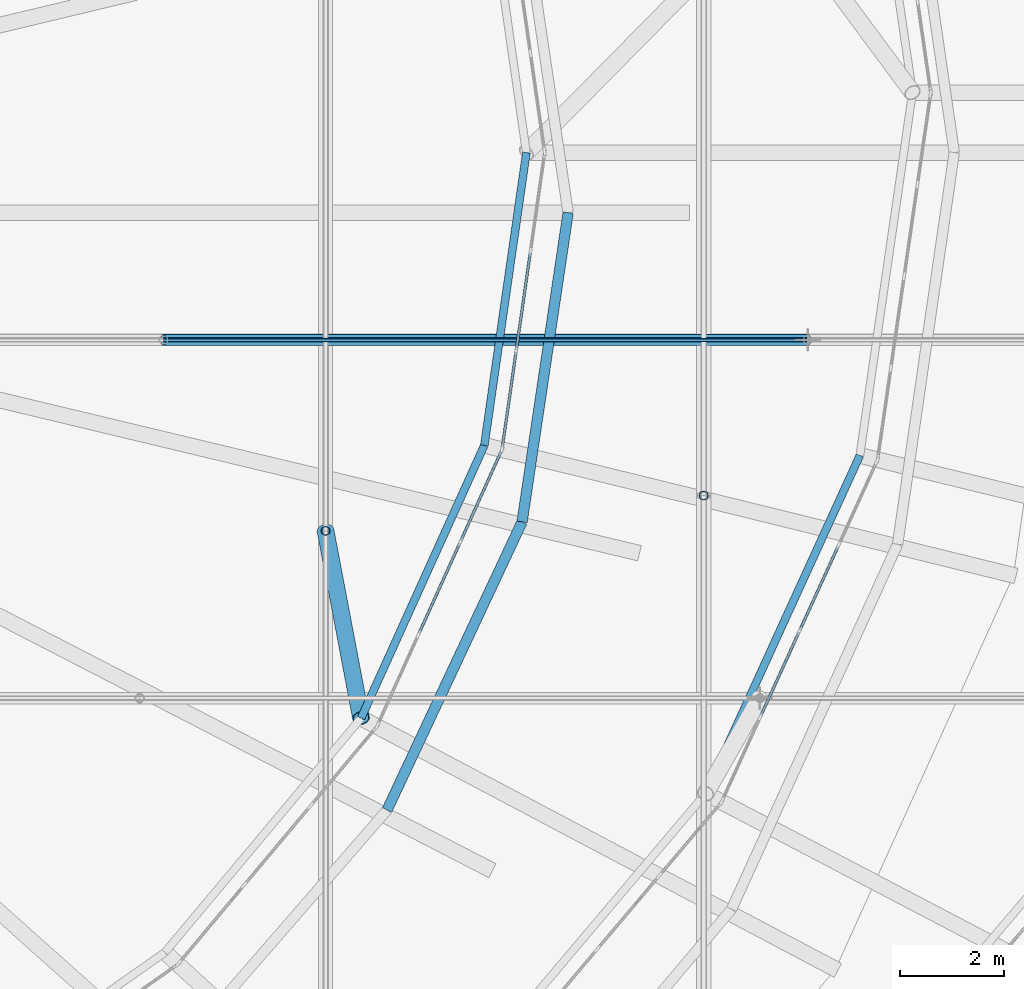
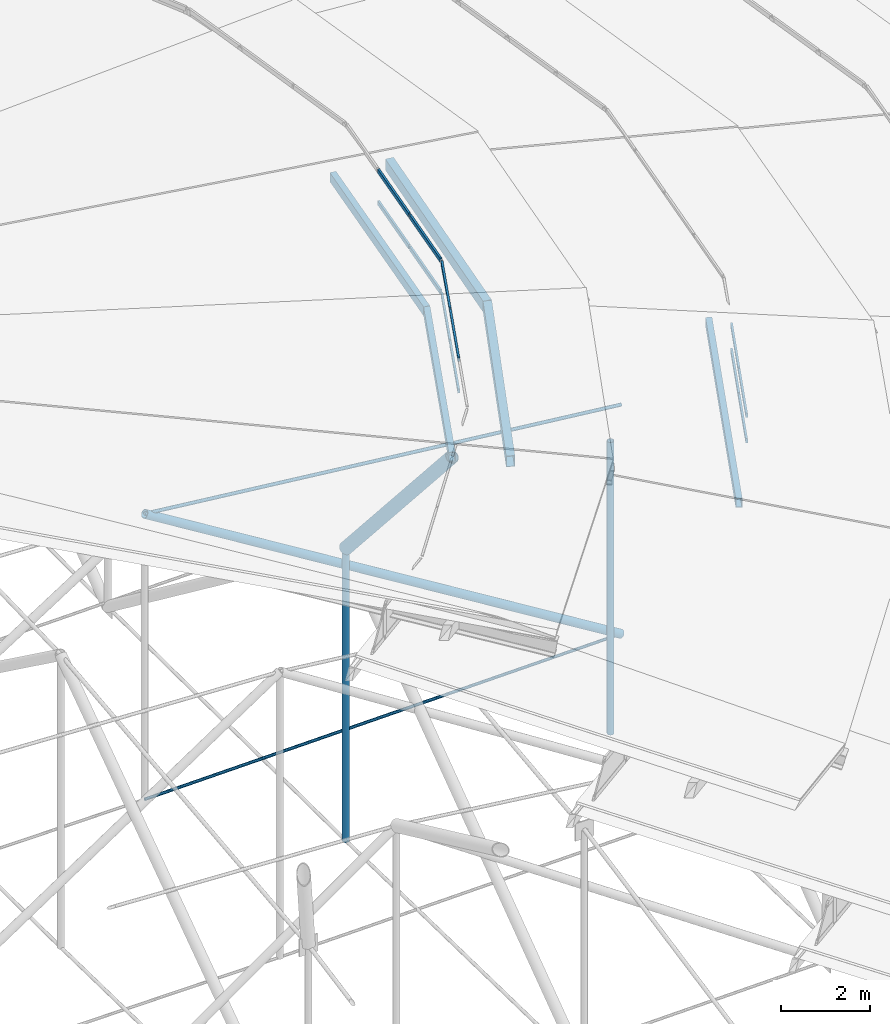
# One storey, part 84 of 173: 23 members, 3 elements without a shape of their own.
"""IFC4 building model written with IfcOpenShell, lengths in metres."""

from ifc_helpers import new_model, si_unit, direction, frame, origin, origin_2d, place, context, subcontext, project, spatial, rectangle, hollow_rectangle, circle, hollow_circle, extrude, material, material_profile, profile_set, type_object, element, aggregate, save


model = new_model("IFC4")

# Units and contexts
model_context = context("Model", 3, precision=1e-05, world=origin(), true_north=direction((0.0, 1.0)))
body_context = subcontext(model_context, "Body", "Model", "MODEL_VIEW")
ifc_project = project(units=[si_unit("LENGTHUNIT", "METRE"), si_unit("AREAUNIT", "SQUARE_METRE"), si_unit("VOLUMEUNIT", "CUBIC_METRE"), si_unit("PLANEANGLEUNIT", "RADIAN"), si_unit("MASSUNIT", "GRAM", prefix="KILO")], contexts=[model_context])

# Site, building, storey
site_placement = place(None, origin())
site = spatial("IfcSite", under=ifc_project, at=site_placement, CompositionType="ELEMENT")
building_placement = place(site_placement, origin())
building = spatial("IfcBuilding", under=site, at=building_placement, Name="Glasvene Arena", CompositionType="ELEMENT")
storey_placement = place(building_placement, frame((0.0, 0.0, 28.800048828125)))
storey = spatial("IfcBuildingStorey", under=building, at=storey_placement, Name="RF", CompositionType="ELEMENT", Elevation=28.800048828125)

# Curtain wall, members
ifc_material_1 = material(Name="Low-emissivity laminated double glazing", Category="glass")
curtain_wall_type_1 = type_object("IfcCurtainWallType", Name="CW-PET3-721x75", PredefinedType="USERDEFINED", material=ifc_material_1)
curtain_wall_1_placement = place(storey_placement, frame((115.03759765625, 57.10009765625, 0.0)))
curtain_wall_1 = element("IfcCurtainWall", 1, at=curtain_wall_1_placement, inside=storey, type_object=curtain_wall_type_1, Name="Petal ring 3-4 clerestory curtain wall 23", ObjectType="CURTAIN WALL", PredefinedType="USERDEFINED")
ifc_material_2 = material(Name="Anodised architectural aluminium", Category="aluminium")
ifc_material_profile_1 = material_profile(ifc_material_2, rectangle(XDim=0.050048828125, YDim=0.1201171875, at=origin_2d()), Name="ALU TRANSOM 50x120")
ifc_profile_set_1 = profile_set([ifc_material_profile_1], Name="Anodised architectural aluminium")
member_type_1 = type_object("IfcMemberType", Name="CW-TRN-120", PredefinedType="USERDEFINED", material=ifc_profile_set_1)
member_1_placement = place(storey_placement, frame((115.7958984375, 58.7626953125, 7.85498046875), z_axis=(0.414946517338, 0.909845804381, 0.0), x_axis=(-0.909845804381, 0.414946517338, 0.0)))
member_1 = element("IfcMember", 2, at=member_1_placement, type_object=member_type_1, Name="CW-094 transom 2.1", ObjectType="TRANSOM", PredefinedType="USERDEFINED", context=body_context, shape_type="SweptSolid", body=[
    extrude(rectangle(XDim=0.050048828125, YDim=0.1201171875, at=origin_2d()), origin(), (0.0, 0.0, 1.0), 1.752685546875),
])
member_2_placement = place(storey_placement, frame((115.7958984375, 58.7626953125, 8.554931640625), z_axis=(0.414946517338, 0.909845804381, 0.0), x_axis=(-0.909845804381, 0.414946517338, 0.0)))
member_2 = element("IfcMember", 3, at=member_2_placement, type_object=member_type_1, Name="CW-094 transom 2.2", ObjectType="TRANSOM", PredefinedType="USERDEFINED", context=body_context, shape_type="SweptSolid", body=[
    extrude(rectangle(XDim=0.050048828125, YDim=0.1201171875, at=origin_2d()), origin(), (0.0, 0.0, 1.0), 1.752685546875),
])
member_3_placement = place(storey_placement, frame((116.5439453125, 60.40283203125, 7.85498046875), z_axis=(0.414999110691, 0.90982181669, 0.0), x_axis=(-0.90982181669, 0.414999110691, 0.0)))
member_3 = element("IfcMember", 4, at=member_3_placement, type_object=member_type_1, Name="CW-094 transom 3.1", ObjectType="TRANSOM", PredefinedType="USERDEFINED", context=body_context, shape_type="SweptSolid", body=[
    extrude(rectangle(XDim=0.050048828125, YDim=0.1201171875, at=origin_2d()), origin(), (0.0, 0.0, 1.0), 1.75244140625),
])
member_4_placement = place(storey_placement, frame((116.5439453125, 60.40283203125, 8.554931640625), z_axis=(0.414999110691, 0.90982181669, 0.0), x_axis=(-0.90982181669, 0.414999110691, 0.0)))
member_4 = element("IfcMember", 5, at=member_4_placement, type_object=member_type_1, Name="CW-094 transom 3.2", ObjectType="TRANSOM", PredefinedType="USERDEFINED", context=body_context, shape_type="SweptSolid", body=[
    extrude(rectangle(XDim=0.050048828125, YDim=0.1201171875, at=origin_2d()), origin(), (0.0, 0.0, 1.0), 1.75244140625),
])
aggregate(curtain_wall_1, [member_1, member_2, member_3, member_4])

curtain_wall_type_2 = type_object("IfcCurtainWallType", Name="CW-PET4-582x92", PredefinedType="USERDEFINED", material=ifc_material_1)
curtain_wall_2_placement = place(storey_placement, frame((108.4345703125, 58.550048828125, 0.0)))
curtain_wall_2 = element("IfcCurtainWall", 6, at=curtain_wall_2_placement, inside=storey, type_object=curtain_wall_type_2, Name="Petal ring 4-5 clerestory curtain wall 23", ObjectType="CURTAIN WALL", PredefinedType="USERDEFINED")
member_5_placement = place(storey_placement, frame((109.244140625, 60.341552734375, 10.554931640625), z_axis=(0.411797762497, 0.911275261819, 0.0), x_axis=(-0.911275261819, 0.411797762497, 0.0)))
member_5 = element("IfcMember", 7, at=member_5_placement, type_object=member_type_1, Name="CW-100 transom 2.1", ObjectType="TRANSOM", PredefinedType="USERDEFINED", context=body_context, shape_type="SweptSolid", body=[
    extrude(rectangle(XDim=0.050048828125, YDim=0.1201171875, at=origin_2d()), origin(), (0.0, 0.0, 1.0), 1.890625),
])
member_6_placement = place(storey_placement, frame((109.244140625, 60.341552734375, 11.4208984375), z_axis=(0.411797762497, 0.911275261819, 0.0), x_axis=(-0.911275261819, 0.411797762497, 0.0)))
member_6 = element("IfcMember", 8, at=member_6_placement, type_object=member_type_1, Name="CW-100 transom 2.2", ObjectType="TRANSOM", PredefinedType="USERDEFINED", context=body_context, shape_type="SweptSolid", body=[
    extrude(rectangle(XDim=0.050048828125, YDim=0.1201171875, at=origin_2d()), origin(), (0.0, 0.0, 1.0), 1.890625),
])
member_7_placement = place(storey_placement, frame((110.043212890625, 62.110107421875, 10.554931640625), z_axis=(0.41175148057, 0.911296174824, 0.0), x_axis=(-0.911296174824, 0.41175148057, 0.0)))
member_7 = element("IfcMember", 9, at=member_7_placement, type_object=member_type_1, Name="CW-100 transom 3.1", ObjectType="TRANSOM", PredefinedType="USERDEFINED", context=body_context, shape_type="SweptSolid", body=[
    extrude(rectangle(XDim=0.050048828125, YDim=0.1201171875, at=origin_2d()), origin(), (0.0, 0.0, 1.0), 1.865966796875),
])
member_8_placement = place(storey_placement, frame((110.043212890625, 62.110107421875, 11.4208984375), z_axis=(0.41175148057, 0.911296174824, 0.0), x_axis=(-0.911296174824, 0.41175148057, 0.0)))
member_8 = element("IfcMember", 10, at=member_8_placement, type_object=member_type_1, Name="CW-100 transom 3.2", ObjectType="TRANSOM", PredefinedType="USERDEFINED", context=body_context, shape_type="SweptSolid", body=[
    extrude(rectangle(XDim=0.050048828125, YDim=0.1201171875, at=origin_2d()), origin(), (0.0, 0.0, 1.0), 1.865966796875),
])
aggregate(curtain_wall_2, [member_5, member_6, member_7, member_8])

curtain_wall_type_3 = type_object("IfcCurtainWallType", Name="CW-PET4-575x92", PredefinedType="USERDEFINED", material=ifc_material_1)
curtain_wall_3_placement = place(storey_placement, frame((110.832275390625, 63.85595703125, 0.0)))
curtain_wall_3 = element("IfcCurtainWall", 11, at=curtain_wall_3_placement, inside=storey, type_object=curtain_wall_type_3, Name="Petal ring 4-5 clerestory curtain wall 24", ObjectType="CURTAIN WALL", PredefinedType="USERDEFINED")
member_9_placement = place(storey_placement, frame((110.83935546875, 63.905517578125, 10.554931640625), z_axis=(0.14218191486, 0.989840544273, 0.0), x_axis=(-0.989840544273, 0.14218191486, 0.0)))
member_9 = element("IfcMember", 12, at=member_9_placement, type_object=member_type_1, Name="CW-099 transom 1.1", ObjectType="TRANSOM", PredefinedType="USERDEFINED", context=body_context, shape_type="SweptSolid", body=[
    extrude(rectangle(XDim=0.050048828125, YDim=0.1201171875, at=origin_2d()), origin(), (0.0, 0.0, 1.0), 1.842529296875),
])
member_10_placement = place(storey_placement, frame((110.83935546875, 63.905517578125, 11.4208984375), z_axis=(0.14218191486, 0.989840544273, 0.0), x_axis=(-0.989840544273, 0.14218191486, 0.0)))
member_10 = element("IfcMember", 13, at=member_10_placement, type_object=member_type_1, Name="CW-099 transom 1.2", ObjectType="TRANSOM", PredefinedType="USERDEFINED", context=body_context, shape_type="SweptSolid", body=[
    extrude(rectangle(XDim=0.050048828125, YDim=0.1201171875, at=origin_2d()), origin(), (0.0, 0.0, 1.0), 1.842529296875),
])
member_11_placement = place(storey_placement, frame((111.1083984375, 65.77880859375, 10.554931640625), z_axis=(0.142116870318, 0.98984988517, 0.0), x_axis=(-0.98984988517, 0.142116870318, 0.0)))
member_11 = element("IfcMember", 14, at=member_11_placement, type_object=member_type_1, Name="CW-099 transom 2.1", ObjectType="TRANSOM", PredefinedType="USERDEFINED", context=body_context, shape_type="SweptSolid", body=[
    extrude(rectangle(XDim=0.050048828125, YDim=0.1201171875, at=origin_2d()), origin(), (0.0, 0.0, 1.0), 1.867431640625),
])
member_12_placement = place(storey_placement, frame((111.1083984375, 65.77880859375, 11.4208984375), z_axis=(0.142116870318, 0.98984988517, 0.0), x_axis=(-0.98984988517, 0.142116870318, 0.0)))
member_12 = element("IfcMember", 15, at=member_12_placement, type_object=member_type_1, Name="CW-099 transom 2.2", ObjectType="TRANSOM", PredefinedType="USERDEFINED", context=body_context, shape_type="SweptSolid", body=[
    extrude(rectangle(XDim=0.050048828125, YDim=0.1201171875, at=origin_2d()), origin(), (0.0, 0.0, 1.0), 1.867431640625),
])
aggregate(curtain_wall_3, [member_9, member_10, member_11, member_12])

# Members
ifc_material_3 = material(Name="High-strength steel spiral strand S460", Category="steel")
ifc_material_profile_2 = material_profile(ifc_material_3, circle(Radius=0.03759765625, at=origin_2d()), Name="LCSS D75")
ifc_profile_set_2 = profile_set([ifc_material_profile_2], Name="High-strength steel spiral strand S460")
member_type_2 = type_object("IfcMemberType", Name="MB-CABLE-75", PredefinedType="USERDEFINED", material=ifc_profile_set_2)
member_13_placement = place(storey_placement, frame((104.34619140625, 65.96044921875, -2.328125), z_axis=(0.999847586519, 0.0, 0.017458629178), x_axis=(0.0, 1.0, 0.0)))
element("IfcMember", 16, at=member_13_placement, inside=storey, type_object=member_type_2, Name="Lower stabilization roof cable EW03-06", ObjectType="ROOF CABLE", PredefinedType="USERDEFINED", context=body_context, shape_type="SweptSolid", body=[
    extrude(circle(Radius=0.03759765625, at=origin_2d()), origin(), (0.0, 0.0, 1.0), 12.347900390625),
])
ifc_material_profile_3 = material_profile(ifc_material_3, circle(Radius=0.044921875, at=origin_2d()), Name="LCSS D90")
ifc_profile_set_3 = profile_set([ifc_material_profile_3], Name="High-strength steel spiral strand S460")
member_type_3 = type_object("IfcMemberType", Name="MB-CABLE-90", PredefinedType="USERDEFINED", material=ifc_profile_set_3)
member_14_placement = place(storey_placement, frame((104.34619140625, 65.96044921875, 5.499267578125), z_axis=(0.994227867926, 0.0, -0.107289079778), x_axis=(0.0, 1.0, 0.0)))
element("IfcMember", 17, at=member_14_placement, inside=storey, type_object=member_type_3, Name="Upper lens roof cable EW03-06", ObjectType="ROOF CABLE", PredefinedType="USERDEFINED", context=body_context, shape_type="SweptSolid", body=[
    extrude(circle(Radius=0.044921875, at=origin_2d()), origin(), (0.0, 0.0, 1.0), 12.417724609375),
])
ifc_material_4 = material(Name="Steel S355J2", Category="steel")
ifc_material_profile_4 = material_profile(ifc_material_4, hollow_circle(Radius=0.161865234375, WallThickness=0.01611328125, at=origin_2d()), Name="CHS 323.9x16.0")
ifc_profile_set_4 = profile_set([ifc_material_profile_4], Name="Steel S355J2")
member_type_4 = type_object("IfcMemberType", Name="MB-POST-CHS324", PredefinedType="BRACE", material=ifc_profile_set_4)
member_15_placement = place(storey_placement, frame((107.45068359375, 62.300537109375, 5.6904296875), z_axis=(0.118409075518, -0.624057010055, 0.772354930738), x_axis=(0.982471120098, 0.186414855021, 0.0)))
element("IfcMember", 18, at=member_15_placement, inside=storey, type_object=member_type_4, Name="Petal ring 4 ridge support post 23", PredefinedType="BRACE", context=body_context, shape_type="SweptSolid", body=[
    extrude(hollow_circle(Radius=0.161865234375, WallThickness=0.01611328125, at=origin_2d()), origin(), (0.0, 0.0, 1.0), 5.75048828125),
])
ifc_material_profile_5 = material_profile(ifc_material_4, hollow_rectangle(XDim=0.14990234375, YDim=0.25, WallThickness=0.010009765625, at=origin_2d()), Name="RHS 250x150x10.0")
ifc_profile_set_5 = profile_set([ifc_material_profile_5], Name="Steel S355J2")
member_type_5 = type_object("IfcMemberType", Name="MB-PURLIN-RHS250", PredefinedType="PURLIN", material=ifc_profile_set_5)
member_16_placement = place(storey_placement, frame((114.734375, 57.265625, 7.431884765625), z_axis=(0.415137577062, 0.909758644977, 0.0), x_axis=(-0.909758644977, 0.415137577062, 0.0)))
element("IfcMember", 19, at=member_16_placement, inside=storey, type_object=member_type_5, Name="Petal ring 3 ridge purlin 23", PredefinedType="PURLIN", context=body_context, shape_type="SweptSolid", body=[
    extrude(hollow_rectangle(XDim=0.14990234375, YDim=0.25, WallThickness=0.010009765625, at=origin_2d()), origin(), (0.0, 0.0, 1.0), 7.123046875),
])
member_17_placement = place(storey_placement, frame((108.131591796875, 58.7119140625, 10.1318359375), z_axis=(0.411820457679, 0.911265005713, 0.0), x_axis=(-0.911265005713, 0.411820457679, 0.0)))
element("IfcMember", 20, at=member_17_placement, inside=storey, type_object=member_type_5, Name="Petal ring 4 ridge purlin 23", PredefinedType="PURLIN", context=body_context, shape_type="SweptSolid", body=[
    extrude(hollow_rectangle(XDim=0.14990234375, YDim=0.25, WallThickness=0.010009765625, at=origin_2d()), origin(), (0.0, 0.0, 1.0), 5.73681640625),
])
member_18_placement = place(storey_placement, frame((110.494140625, 63.939697265625, 10.1318359375), z_axis=(0.142187169071, 0.989839789537, 0.0), x_axis=(-0.989839789537, 0.142187169071, 0.0)))
element("IfcMember", 21, at=member_18_placement, inside=storey, type_object=member_type_5, Name="Petal ring 4 ridge purlin 24", PredefinedType="PURLIN", context=body_context, shape_type="SweptSolid", body=[
    extrude(hollow_rectangle(XDim=0.14990234375, YDim=0.25, WallThickness=0.010009765625, at=origin_2d()), origin(), (0.0, 0.0, 1.0), 5.66796875),
])
ifc_material_profile_6 = material_profile(ifc_material_4, hollow_rectangle(XDim=0.199951171875, YDim=0.300048828125, WallThickness=0.012451171875, at=origin_2d()), Name="RHS 300x200x12.5")
ifc_profile_set_6 = profile_set([ifc_material_profile_6], Name="Steel S355J2")
member_type_6 = type_object("IfcMemberType", Name="MB-PURLIN-RHS300", PredefinedType="PURLIN", material=ifc_profile_set_6)
member_19_placement = place(storey_placement, frame((108.630126953125, 56.949951171875, 10.9013671875), z_axis=(0.424234903245, 0.905552177883, 0.0), x_axis=(-0.905552177883, 0.424234903245, 0.0)))
element("IfcMember", 22, at=member_19_placement, inside=storey, type_object=member_type_6, Name="Petal ring 5 outer purlin 23", PredefinedType="PURLIN", context=body_context, shape_type="SweptSolid", body=[
    extrude(hollow_rectangle(XDim=0.199951171875, YDim=0.300048828125, WallThickness=0.012451171875, at=origin_2d()), origin(), (0.0, 0.0, 1.0), 6.098876953125),
])
member_20_placement = place(storey_placement, frame((111.217529296875, 62.472900390625, 10.9013671875), z_axis=(0.147282469644, 0.989094471795, 0.0), x_axis=(-0.989094471795, 0.147282469644, 0.0)))
element("IfcMember", 23, at=member_20_placement, inside=storey, type_object=member_type_6, Name="Petal ring 5 outer purlin 24", PredefinedType="PURLIN", context=body_context, shape_type="SweptSolid", body=[
    extrude(hollow_rectangle(XDim=0.199951171875, YDim=0.300048828125, WallThickness=0.012451171875, at=origin_2d()), origin(), (0.0, 0.0, 1.0), 5.992431640625),
])
ifc_material_profile_7 = material_profile(ifc_material_4, hollow_circle(Radius=0.084228515625, WallThickness=0.008056640625, at=origin_2d()), Name="CHS 168.3x8.0")
ifc_profile_set_7 = profile_set([ifc_material_profile_7], Name="Steel S355J2")
member_type_7 = type_object("IfcMemberType", Name="MB-WEB-CHS168", PredefinedType="BRACE", material=ifc_profile_set_7)
for number, where, z_axis, x_axis, name in (
    (24, (114.699462890625, 62.976318359375, -2.328125), (0.0, 0.0, 1.0), (1.0, 0.0, 0.0), "Cable-truss vertical strut NS02-03"),
    (25, (107.45068359375, 62.300537109375, -2.328125), (0.0, 0.0, 1.0), (1.0, 0.0, 0.0), "Cable-truss vertical strut NS03-03"),
):
    element("IfcMember", number, at=place(storey_placement, frame(where, z_axis=z_axis, x_axis=x_axis)), inside=storey, type_object=member_type_7, Name=name, PredefinedType="BRACE", context=body_context, shape_type="SweptSolid", body=[
        extrude(hollow_circle(Radius=0.084228515625, WallThickness=0.008056640625, at=origin_2d()), origin(), (0.0, 0.0, 1.0), 8.0185546875),
    ])
ifc_material_profile_8 = material_profile(ifc_material_4, hollow_circle(Radius=0.109619140625, WallThickness=0.010009765625, at=origin_2d()), Name="CHS 219.1x10.0")
ifc_profile_set_8 = profile_set([ifc_material_profile_8], Name="Steel S355J2")
member_type_8 = type_object("IfcMemberType", Name="MB-WEB-CHS219", PredefinedType="BRACE", material=ifc_profile_set_8)
member_21_placement = place(storey_placement, frame((104.34619140625, 65.96044921875, 5.499267578125), z_axis=(0.85121761809, 0.0, -0.524812887279), x_axis=(0.0, 1.0, 0.0)))
element("IfcMember", 26, at=member_21_placement, inside=storey, type_object=member_type_8, Name="Cable-truss diagonal web strut EW03-06", PredefinedType="BRACE", context=body_context, shape_type="SweptSolid", body=[
    extrude(hollow_circle(Radius=0.109619140625, WallThickness=0.010009765625, at=origin_2d()), origin(), (0.0, 0.0, 1.0), 14.50390625),
])

save(model, "model.ifc")
